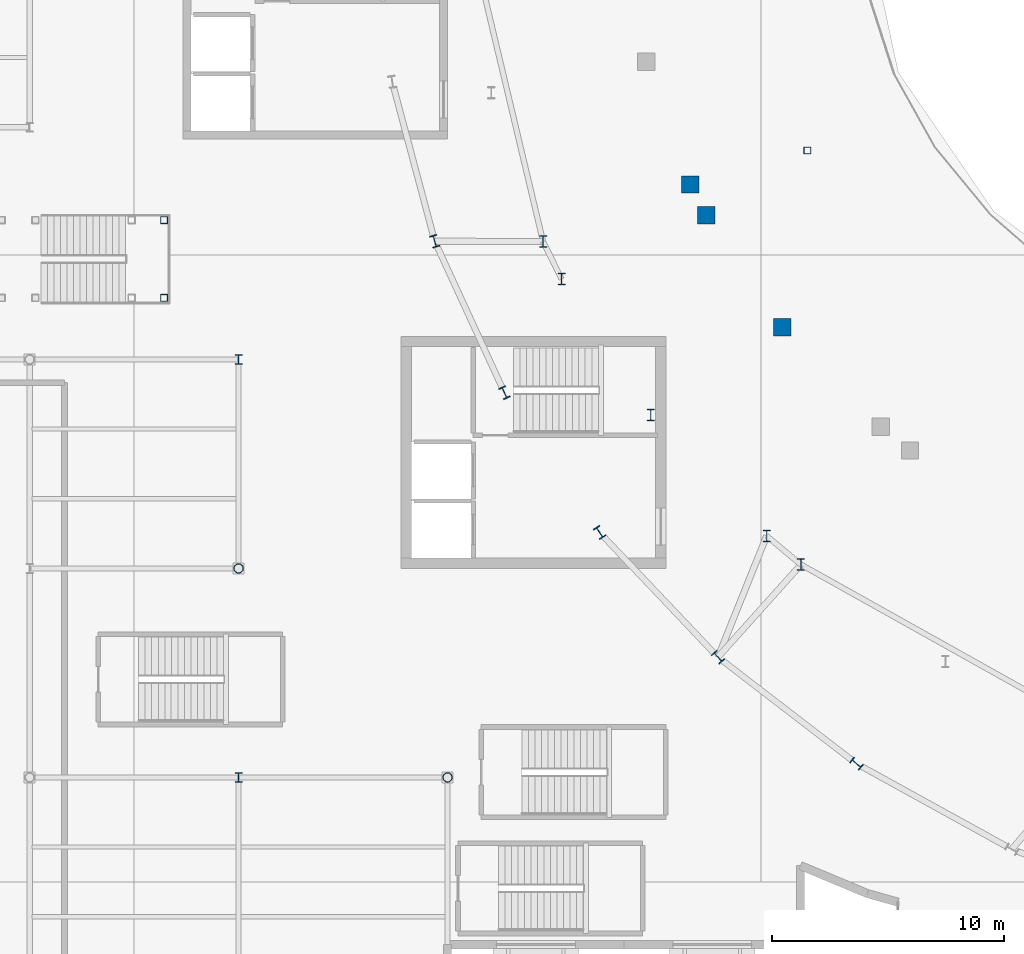
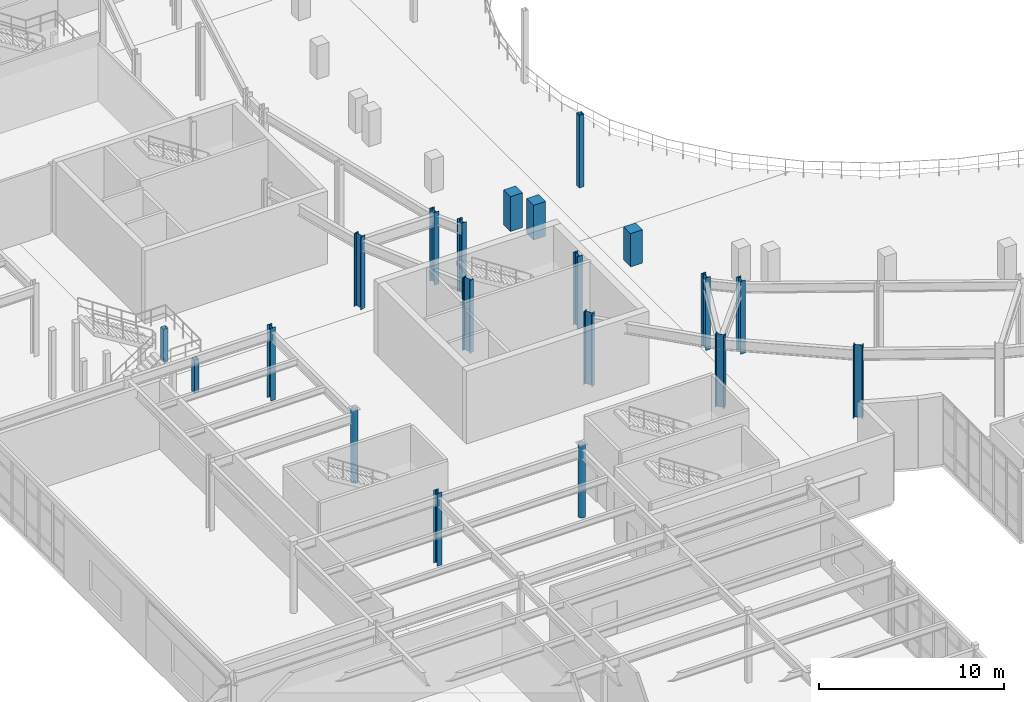
# One storey, part 4 of 84: 20 columns.
"""IFC4 building model written with IfcOpenShell, lengths in metres."""

from ifc_helpers import new_model, si_unit, direction, frame, origin, origin_2d, place, context, subcontext, project, spatial, rectangle, hollow_rectangle, hollow_circle, i_section, extrude, material, material_profile, profile_set, type_object, element, save


model = new_model("IFC4")

# Units and contexts
model_context = context("Model", 3, precision=1e-05, world=origin(), true_north=direction((0.0, 1.0)))
body_context = subcontext(model_context, "Body", "Model", "MODEL_VIEW")
ifc_project = project(units=[si_unit("LENGTHUNIT", "METRE"), si_unit("AREAUNIT", "SQUARE_METRE"), si_unit("VOLUMEUNIT", "CUBIC_METRE"), si_unit("PLANEANGLEUNIT", "RADIAN"), si_unit("MASSUNIT", "GRAM", prefix="KILO")], contexts=[model_context])

# Site, building, storey
site_placement = place(None, origin())
site = spatial("IfcSite", under=ifc_project, at=site_placement, CompositionType="ELEMENT")
building_placement = place(site_placement, origin())
building = spatial("IfcBuilding", under=site, at=building_placement, Name="Glasvene Arena", CompositionType="ELEMENT")
storey_placement = place(building_placement, frame((0.0, 0.0, 10.199951171875)))
storey = spatial("IfcBuildingStorey", under=building, at=storey_placement, Name="L02", CompositionType="ELEMENT", Elevation=10.199951171875)

# Columns
ifc_material_1 = material(Name="Concrete C40/50", Category="concrete")
ifc_material_profile_1 = material_profile(ifc_material_1, rectangle(XDim=0.75, YDim=0.75, at=origin_2d()), Name="RC 750x750")
ifc_profile_set_1 = profile_set([ifc_material_profile_1], Name="Concrete C40/50")
column_type_1 = type_object("IfcColumnType", Name="COL-MID-RC750", PredefinedType="COLUMN", material=ifc_profile_set_1)
for number, where, z_axis, x_axis, name in (
    (1, (55.452880859375, 61.53662109375, 0.0), (0.0, 0.0, 1.0), (1.0, 0.0, 0.0), "Mid-bowl fulcrum column L02 09-2"),
    (2, (56.133544921875, 60.20751953125, 0.0), (0.0, 0.0, 1.0), (1.0, 0.0, 0.0), "Mid-bowl fulcrum column L02 10-1"),
):
    element("IfcColumn", number, at=place(storey_placement, frame(where, z_axis=z_axis, x_axis=x_axis)), inside=storey, type_object=column_type_1, Name=name, PredefinedType="COLUMN", context=body_context, shape_type="SweptSolid", body=[
        extrude(rectangle(XDim=0.75, YDim=0.75, at=origin_2d()), origin(), (0.0, 0.0, 1.0), 2.300048828125),
    ])
column_1_placement = place(storey_placement, frame((59.406494140625, 55.388427734375, 0.0), z_axis=(0.0, 0.0, 1.0), x_axis=(1.0, 0.0, 0.0)))
element("IfcColumn", 3, at=column_1_placement, inside=storey, type_object=column_type_1, Name="Mid-sector fulcrum column L02 10", PredefinedType="COLUMN", context=body_context, shape_type="SweptSolid", body=[
    extrude(rectangle(XDim=0.75, YDim=0.75, at=origin_2d()), origin(), (0.0, 0.0, 1.0), 2.199951171875),
])
ifc_material_2 = material(Name="Steel S355J2", Category="steel")
ifc_material_profile_2 = material_profile(ifc_material_2, i_section(OverallWidth=0.305908203125, OverallDepth=0.52392578125, WebThickness=0.02099609375, FlangeThickness=0.0400390625, FilletRadius=0.027099609375, at=origin_2d()), Name="HEM 500")
ifc_profile_set_2 = profile_set([ifc_material_profile_2], Name="Steel S355J2")
column_type_2 = type_object("IfcColumnType", Name="COL-RING-HEM500", PredefinedType="COLUMN", material=ifc_profile_set_2)
for number, where, z_axis, x_axis, name in (
    (4, (44.447265625, 59.09423828125, 0.0), (0.0, 0.0, 1.0), (-0.959805291975, -0.280666708921, 0.0), "Bowl ring column R23 L02"),
    (5, (47.44970703125, 52.5703125, 0.0), (0.0, 0.0, 1.0), (-0.909018020308, -0.416756810089, 0.0), "Bowl ring column R24 L02"),
    (6, (51.54931640625, 46.5498046875, 0.0), (0.0, 0.0, 1.0), (-0.836955398099, -0.547271104292, 0.0), "Bowl ring column R25 L02"),
    (7, (56.644775390625, 41.18017578125, 0.0), (0.0, 0.0, 1.0), (-0.74326159948, -0.669000892928, 0.0), "Bowl ring column R26 L02"),
    (8, (62.610595703125, 36.59423828125, 0.0), (0.0, 0.0, 1.0), (-0.628098877137, -0.778133536444, 0.0), "Bowl ring column R27 L02"),
):
    element("IfcColumn", number, at=place(storey_placement, frame(where, z_axis=z_axis, x_axis=x_axis)), inside=storey, type_object=column_type_2, Name=name, PredefinedType="COLUMN", context=body_context, shape_type="SweptSolid", body=[
        extrude(i_section(OverallWidth=0.305908203125, OverallDepth=0.52392578125, WebThickness=0.02099609375, FlangeThickness=0.0400390625, FilletRadius=0.027099609375, at=origin_2d()), origin(), (0.0, 0.0, 1.0), 4.800048828125),
    ])
ifc_material_profile_3 = material_profile(ifc_material_2, hollow_circle(Radius=0.203125, WallThickness=0.01611328125, at=origin_2d()), Name="CHS 406.4x16.0")
ifc_profile_set_3 = profile_set([ifc_material_profile_3], Name="Steel S355J2")
column_type_3 = type_object("IfcColumnType", Name="COL-W-CHS406", PredefinedType="COLUMN", material=ifc_profile_set_3)
for number, where, z_axis, x_axis, name in (
    (9, (36.0, 45.0, 0.0), (0.0, 0.0, 1.0), (1.0, 0.0, 0.0), "Grid column 5-6 L02"),
    (10, (45.0, 36.0, 0.0), (0.0, 0.0, 1.0), (1.0, 0.0, 0.0), "Grid column 6-5 L02"),
):
    element("IfcColumn", number, at=place(storey_placement, frame(where, z_axis=z_axis, x_axis=x_axis)), inside=storey, type_object=column_type_3, Name=name, PredefinedType="COLUMN", context=body_context, shape_type="SweptSolid", body=[
        extrude(hollow_circle(Radius=0.203125, WallThickness=0.01611328125, at=origin_2d()), origin(), (0.0, 0.0, 1.0), 4.800048828125),
    ])
ifc_material_profile_4 = material_profile(ifc_material_2, i_section(OverallWidth=0.300048828125, OverallDepth=0.39990234375, WebThickness=0.013427734375, FlangeThickness=0.02392578125, FilletRadius=0.027099609375, at=origin_2d()), Name="HEB 400")
ifc_profile_set_4 = profile_set([ifc_material_profile_4], Name="Steel S355J2")
column_type_4 = type_object("IfcColumnType", Name="COL-W-HEB400", PredefinedType="COLUMN", material=ifc_profile_set_4)
for number, where, z_axis, x_axis, name in (
    (11, (36.0, 36.0, 0.0), (0.0, 0.0, 1.0), (1.0, 0.0, 0.0), "Grid column 5-5 L02"),
    (12, (36.0, 54.0, 0.0), (0.0, 0.0, 1.0), (1.0, 0.0, 0.0), "Grid column 5-7 L02"),
):
    element("IfcColumn", number, at=place(storey_placement, frame(where, z_axis=z_axis, x_axis=x_axis)), inside=storey, type_object=column_type_4, Name=name, PredefinedType="COLUMN", context=body_context, shape_type="SweptSolid", body=[
        extrude(i_section(OverallWidth=0.300048828125, OverallDepth=0.39990234375, WebThickness=0.013427734375, FlangeThickness=0.02392578125, FilletRadius=0.027099609375, at=origin_2d()), origin(), (0.0, 0.0, 1.0), 4.800048828125),
    ])
ifc_material_profile_5 = material_profile(ifc_material_2, i_section(OverallWidth=0.300048828125, OverallDepth=0.5, WebThickness=0.014404296875, FlangeThickness=0.028076171875, FilletRadius=0.027099609375, at=origin_2d()), Name="HEB 500")
ifc_profile_set_5 = profile_set([ifc_material_profile_5], Name="Steel S355J2")
column_type_5 = type_object("IfcColumnType", Name="COL-W-HEB500", PredefinedType="COLUMN", material=ifc_profile_set_5)
for number, where, z_axis, x_axis, name in (
    (13, (49.113037109375, 59.077392578125, 0.0), (0.0, 0.0, 1.0), (1.0, 0.0, 0.0), "Upper raker rear column L02 09-2"),
    (14, (49.911865234375, 57.46337890625, 0.0), (0.0, 0.0, 1.0), (1.0, 0.0, 0.0), "Upper raker rear column L02 10-1"),
    (15, (58.743408203125, 46.40087890625, 0.0), (0.0, 0.0, 1.0), (1.0, 0.0, 0.0), "Upper raker rear column L02 10-2"),
    (16, (60.219482421875, 45.165771484375, 0.0), (0.0, 0.0, 1.0), (1.0, 0.0, 0.0), "Upper raker rear column L02 11-1"),
    (17, (53.75244140625, 51.610595703125, 0.0), (0.0, 0.0, 1.0), (1.0, 0.0, 0.0), "Mid-sector rear raker column L02 10"),
):
    element("IfcColumn", number, at=place(storey_placement, frame(where, z_axis=z_axis, x_axis=x_axis)), inside=storey, type_object=column_type_5, Name=name, PredefinedType="COLUMN", context=body_context, shape_type="SweptSolid", body=[
        extrude(i_section(OverallWidth=0.300048828125, OverallDepth=0.5, WebThickness=0.014404296875, FlangeThickness=0.028076171875, FilletRadius=0.027099609375, at=origin_2d()), origin(), (0.0, 0.0, 1.0), 4.800048828125),
    ])
ifc_material_profile_6 = material_profile(ifc_material_2, hollow_rectangle(XDim=0.300048828125, YDim=0.300048828125, WallThickness=0.012451171875, at=origin_2d()), Name="SHS 300x300x12.5")
ifc_profile_set_6 = profile_set([ifc_material_profile_6], Name="Steel S355J2")
column_type_6 = type_object("IfcColumnType", Name="COL-W-SHS300", PredefinedType="COLUMN", material=ifc_profile_set_6)
column_2_placement = place(storey_placement, frame((60.5, 63.0, 0.0), z_axis=(0.0, 0.0, 1.0), x_axis=(1.0, 0.0, 0.0)))
element("IfcColumn", 18, at=column_2_placement, inside=storey, type_object=column_type_6, Name="Sector 3-3 support column L02-1", PredefinedType="COLUMN", context=body_context, shape_type="SweptSolid", body=[
    extrude(hollow_rectangle(XDim=0.300048828125, YDim=0.300048828125, WallThickness=0.012451171875, at=origin_2d()), origin(), (0.0, 0.0, 1.0), 4.800048828125),
])
for number, where, z_axis, x_axis, name in (
    (19, (32.7900390625, 56.64990234375, 0.0), (0.0, 0.0, 1.0), (1.0, 0.0, 0.0), "Vomitory landing column VOM-05 L02"),
    (20, (32.7900390625, 60.0, 0.0), (0.0, 0.0, 1.0), (1.0, 0.0, 0.0), "Vomitory landing column VOM-05 L02"),
):
    element("IfcColumn", number, at=place(storey_placement, frame(where, z_axis=z_axis, x_axis=x_axis)), inside=storey, type_object=column_type_6, Name=name, PredefinedType="COLUMN", context=body_context, shape_type="SweptSolid", body=[
        extrude(hollow_rectangle(XDim=0.300048828125, YDim=0.300048828125, WallThickness=0.012451171875, at=origin_2d()), origin(), (0.0, 0.0, 1.0), 2.179931640625),
    ])

save(model, "model.ifc")
